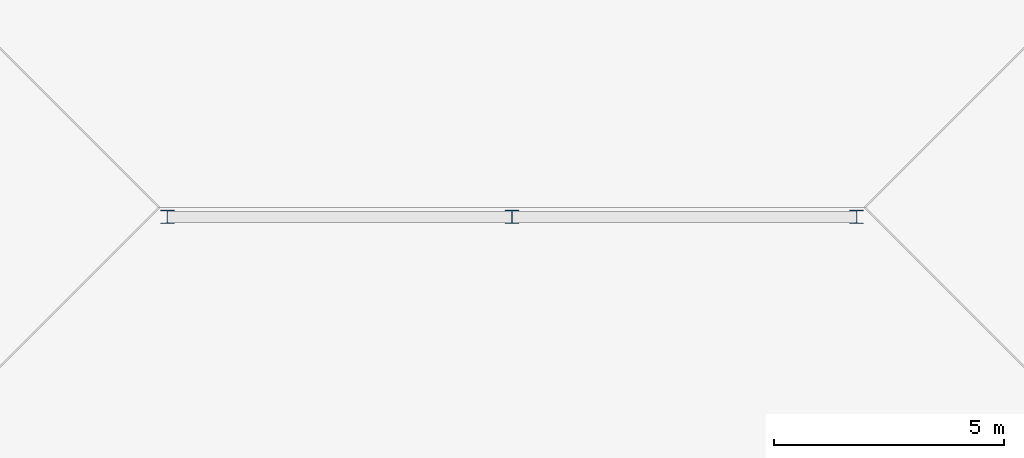
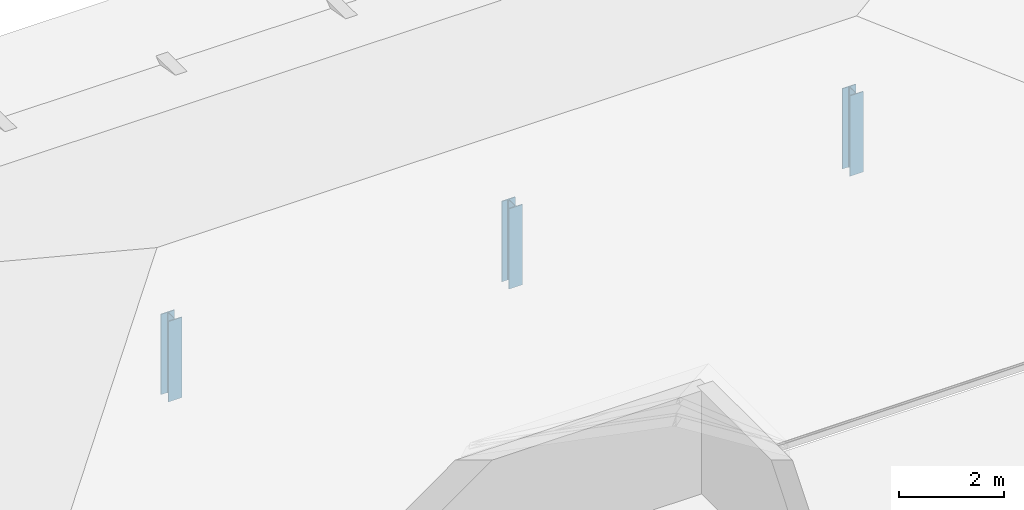
# One storey, part 2 of 4: 3 columns.
"""IFC4 building model written with IfcOpenShell, lengths in metres."""

from ifc_helpers import new_model, si_unit, direction, frame, origin, origin_2d, place, context, subcontext, project, spatial, i_section, extrude, material, material_profile, profile_set, type_object, element, save


model = new_model("IFC4")

# Units and contexts
model_context = context("Model", 3, precision=1e-05, world=origin(), true_north=direction((0.0, 1.0)))
body_context = subcontext(model_context, "Body", "Model", "MODEL_VIEW")
ifc_project = project(units=[si_unit("LENGTHUNIT", "METRE"), si_unit("AREAUNIT", "SQUARE_METRE"), si_unit("VOLUMEUNIT", "CUBIC_METRE"), si_unit("PLANEANGLEUNIT", "RADIAN"), si_unit("MASSUNIT", "GRAM", prefix="KILO")], contexts=[model_context])

# Site, building, storey
site_placement = place(None, origin())
site = spatial("IfcSite", under=ifc_project, at=site_placement, CompositionType="ELEMENT")
building_placement = place(site_placement, origin())
building = spatial("IfcBuilding", under=site, at=building_placement, Name="Dalvernix Boulevard General Hospital", CompositionType="ELEMENT")
storey_placement = place(building_placement, frame((0.0, 0.0, 34.050048828125)))
storey = spatial("IfcBuildingStorey", under=building, at=storey_placement, Name="RF", CompositionType="ELEMENT", Elevation=34.050048828125)

# Columns
ifc_material = material(Name="Steel S355", Category="steel")
ifc_material_profile = material_profile(ifc_material, i_section(OverallWidth=0.300048828125, OverallDepth=0.300048828125, WebThickness=0.010986328125, FlangeThickness=0.01904296875, FilletRadius=0.027099609375, at=origin_2d()), Name="HEB 300")
ifc_profile_set = profile_set([ifc_material_profile], Name="Steel S355")
column_type = type_object("IfcColumnType", Name="COL-C-18", PredefinedType="COLUMN", material=ifc_profile_set)
for number, where, z_axis, x_axis, name in (
    (1, (7.5, 69.0, 0.0), (0.0, 0.0, 1.0), (1.0, 0.0, 0.0), "V4-NTH roof king post 2K"),
    (2, (15.0, 69.0, 0.0), (0.0, 0.0, 1.0), (1.0, 0.0, 0.0), "V4-NTH roof king post 3K"),
    (3, (22.5, 69.0, 0.0), (0.0, 0.0, 1.0), (1.0, 0.0, 0.0), "V4-NTH roof king post 4K"),
):
    element("IfcColumn", number, at=place(storey_placement, frame(where, z_axis=z_axis, x_axis=x_axis)), inside=storey, type_object=column_type, Name=name, PredefinedType="COLUMN", context=body_context, shape_type="SweptSolid", body=[
        extrude(i_section(OverallWidth=0.300048828125, OverallDepth=0.300048828125, WebThickness=0.010986328125, FlangeThickness=0.01904296875, FilletRadius=0.027099609375, at=origin_2d()), origin(), (0.0, 0.0, 1.0), 1.871826171875),
    ])

save(model, "model.ifc")
